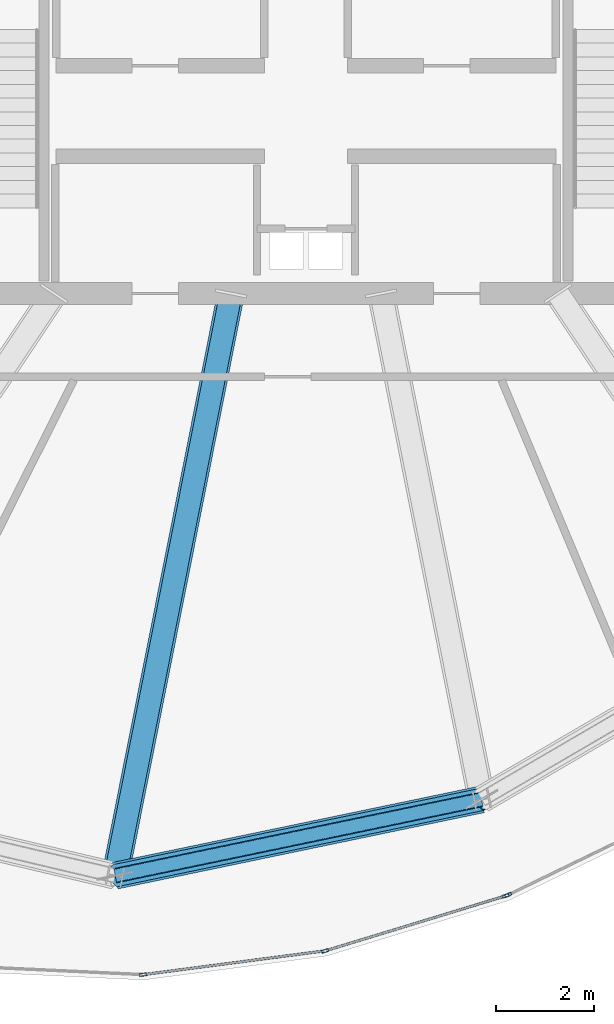
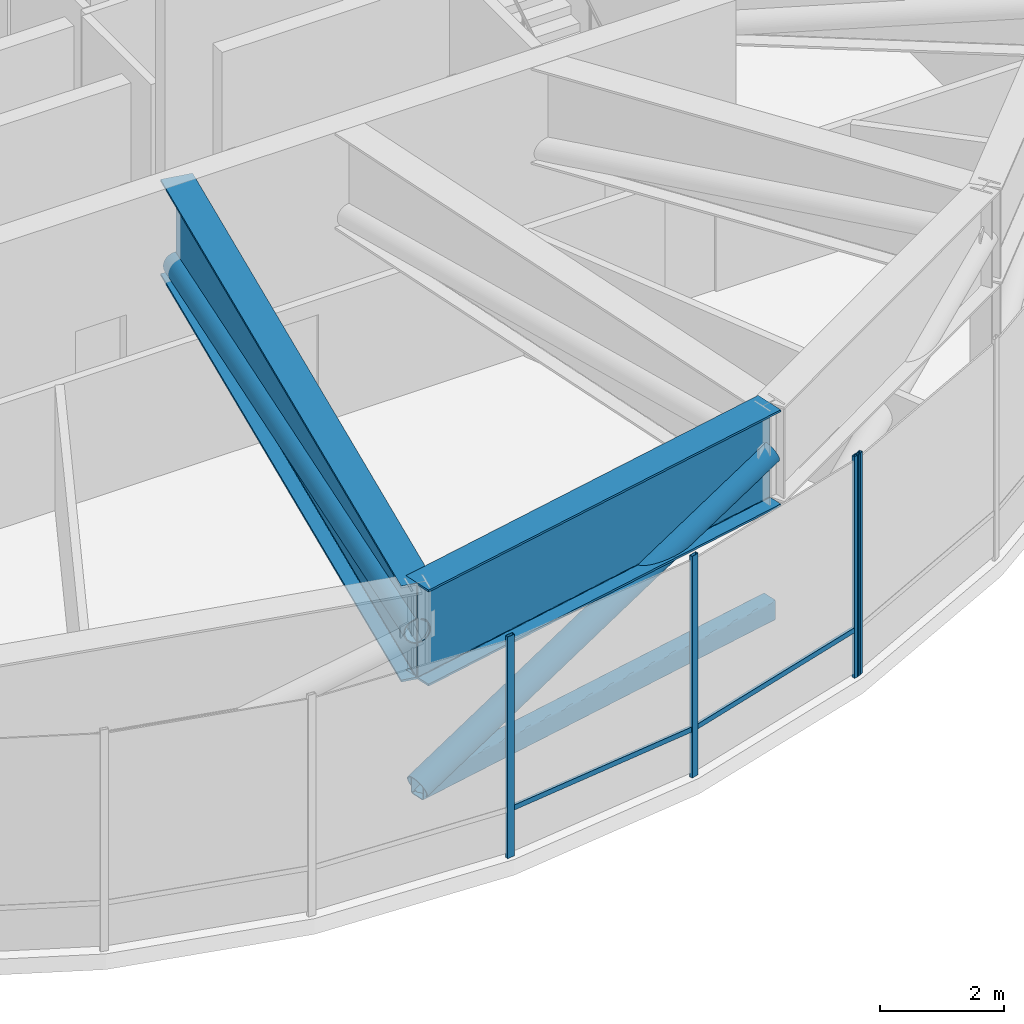
# One storey, part 6 of 26: 9 members, 2 beams, 2 elements without a shape of their own.
"""IFC4 building model written with IfcOpenShell, lengths in metres."""

from ifc_helpers import new_model, si_unit, direction, frame, origin, origin_2d, place, context, subcontext, project, spatial, hollow_rectangle, hollow_circle, i_section, extrude, source, transform, mapped, material, layer, layer_set, material_profile, profile_set, type_object, element, aggregate, save


model = new_model("IFC4")

# Units and contexts
model_context = context("Model", 3, precision=1e-05, world=origin(), true_north=direction((0.0, 1.0)))
body_context = subcontext(model_context, "Body", "Model", "MODEL_VIEW")
ifc_project = project(units=[si_unit("LENGTHUNIT", "METRE"), si_unit("AREAUNIT", "SQUARE_METRE"), si_unit("VOLUMEUNIT", "CUBIC_METRE"), si_unit("PLANEANGLEUNIT", "RADIAN"), si_unit("MASSUNIT", "GRAM", prefix="KILO"), si_unit("THERMODYNAMICTEMPERATUREUNIT", "KELVIN")], contexts=[model_context])

# Site, building, storey
site_placement = place(None, origin())
site = spatial("IfcSite", under=ifc_project, at=site_placement, CompositionType="ELEMENT")
building_placement = place(site_placement, origin())
building = spatial("IfcBuilding", under=site, at=building_placement, Name="Kethvar Cultural Tower", CompositionType="ELEMENT")
storey_placement = place(building_placement, frame((0.0, 0.0, 223.60009765625)))
storey = spatial("IfcBuildingStorey", under=building, at=storey_placement, Name="L58", CompositionType="ELEMENT", Elevation=223.60009765625)

# Beam
ifc_material_1 = material(Name="Steel S460M", Category="steel")
ifc_material_profile_1 = material_profile(ifc_material_1, i_section(OverallWidth=0.550048828125, OverallDepth=1.89990234375, WebThickness=0.02490234375, FlangeThickness=0.0400390625, FilletRadius=0.02001953125, at=origin_2d()), Name="Steel S460M — PG1900x550x40x25")
ifc_profile_set_1 = profile_set([ifc_material_profile_1], Name="Steel S460M — PG1900x550x40x25")
beam_type = type_object("IfcBeamType", Name="BM-TR1900", PredefinedType="BEAM", material=ifc_profile_set_1)
shared_shape_1 = source(origin(), body_context, "Body", "SweptSolid", [
    extrude(i_section(OverallWidth=0.550048828125, OverallDepth=1.89990234375, WebThickness=0.02490234375, FlangeThickness=0.0400390625, FilletRadius=0.02001953125, at=origin_2d()), origin(), (0.0, 0.0, 1.0), 12.1220703125),
])
beam_1_placement = place(storey_placement, frame((45.268310546875, 20.10009765625, 3.427978515625), z_axis=(-0.195078030057, -0.980787725346, 0.0), x_axis=(0.980787725346, -0.195078030057, 0.0)))
element("IfcBeam", 1, at=beam_1_placement, inside=storey, type_object=beam_type, Name="L58 Outrigger Transfer Girder OG-12", PredefinedType="BEAM", context=body_context, shape_type="MappedRepresentation", body=[
    mapped(shared_shape_1, transform((0.0, 0.0, 0.0), scale=1.0)),
])

# Member
ifc_material_2 = material(Name="Steel S355J2", Category="steel")
ifc_material_profile_2 = material_profile(ifc_material_2, hollow_circle(Radius=0.228515625, WallThickness=0.01611328125, at=origin_2d()), Name="Steel S355J2 — CHS457x16")
ifc_profile_set_2 = profile_set([ifc_material_profile_2], Name="Steel S355J2 — CHS457x16")
member_type_1 = type_object("IfcMemberType", Name="MB-OUT-457", PredefinedType="BRACE", material=ifc_profile_set_2)
shared_shape_2 = source(origin(), body_context, "Body", "SweptSolid", [
    extrude(hollow_circle(Radius=0.228515625, WallThickness=0.01611328125, at=origin_2d()), origin(), (0.0, 0.0, 1.0), 12.14697265625),
])
member_1_placement = place(storey_placement, frame((45.268310546875, 20.10009765625, 2.64990234375), z_axis=(-0.194677411687, -0.978773548866, 0.064055018691), x_axis=(0.980787725346, -0.195078030057, 0.0)))
element("IfcMember", 2, at=member_1_placement, inside=storey, type_object=member_type_1, Name="L58 Outrigger Truss Diagonal OB-12", PredefinedType="BRACE", context=body_context, shape_type="MappedRepresentation", body=[
    mapped(shared_shape_2, transform((0.0, 0.0, 0.0), scale=1.0)),
])

# Beam
shared_shape_3 = source(origin(), body_context, "Body", "SweptSolid", [
    extrude(i_section(OverallWidth=0.550048828125, OverallDepth=1.89990234375, WebThickness=0.02490234375, FlangeThickness=0.0400390625, FilletRadius=0.02001953125, at=origin_2d()), origin(), (0.0, 0.0, 1.0), 7.6435546875),
])
beam_2_placement = place(storey_placement, frame((42.903564453125, 8.2109375, 3.427978515625), z_axis=(0.979016278161, 0.203782057834, 0.0), x_axis=(-0.203782057834, 0.979016278161, 0.0)))
element("IfcBeam", 3, at=beam_2_placement, inside=storey, type_object=beam_type, Name="L58 Ring Belt Girder BG-12", PredefinedType="BEAM", context=body_context, shape_type="MappedRepresentation", body=[
    mapped(shared_shape_3, transform((0.0, 0.0, 0.0), scale=1.0)),
])

# Members
ifc_material_profile_3 = material_profile(ifc_material_1, hollow_rectangle(XDim=0.300048828125, YDim=0.39990234375, WallThickness=0.01611328125, InnerFilletRadius=0.01611328125, OuterFilletRadius=0.031982421875, at=origin_2d()), Name="Steel S460M — RHS400x300x16")
ifc_profile_set_3 = profile_set([ifc_material_profile_3], Name="Steel S460M — RHS400x300x16")
member_type_2 = type_object("IfcMemberType", Name="MB-CHD-400", PredefinedType="CHORD", material=ifc_profile_set_3)
shared_shape_4 = source(origin(), body_context, "Body", "SweptSolid", [
    extrude(hollow_rectangle(XDim=0.300048828125, YDim=0.39990234375, WallThickness=0.01611328125, InnerFilletRadius=0.01611328125, OuterFilletRadius=0.031982421875, at=origin_2d()), origin(), (0.0, 0.0, 1.0), 7.6435546875),
])
member_2_placement = place(storey_placement, frame((42.903564453125, 8.2109375, 0.349853515625), z_axis=(0.979016278161, 0.203782057834, 0.0), x_axis=(-0.203782057834, 0.979016278161, 0.0)))
element("IfcMember", 4, at=member_2_placement, inside=storey, type_object=member_type_2, Name="L58 Ring Belt Bottom Chord BC-12", PredefinedType="CHORD", context=body_context, shape_type="MappedRepresentation", body=[
    mapped(shared_shape_4, transform((0.0, 0.0, 0.0), scale=1.0)),
])
shared_shape_5 = source(origin(), body_context, "Body", "SweptSolid", [
    extrude(hollow_circle(Radius=0.228515625, WallThickness=0.01611328125, at=origin_2d()), origin(), (0.0, 0.0, 1.0), 8.239990234375),
])
member_3_placement = place(storey_placement, frame((42.903564453125, 8.2109375, 0.349853515625), z_axis=(0.908142951599, 0.189029787974, 0.37355604495), x_axis=(-0.203782057834, 0.979016278161, 0.0)))
element("IfcMember", 5, at=member_3_placement, inside=storey, type_object=member_type_1, Name="L58 Ring Belt Diagonal BD-12", PredefinedType="BRACE", context=body_context, shape_type="MappedRepresentation", body=[
    mapped(shared_shape_5, transform((0.0, 0.0, 0.0), scale=1.0)),
])

# Curtain wall, members
ifc_material_3 = material(Name="Aluminium 6063-T6", Category="aluminium")
ifc_layer = layer(ifc_material_3, 0.179931640625, Name="Aluminium 6063-T6", Category="aluminium")
ifc_layer_set = layer_set([ifc_layer], Name="Aluminium 6063-T6 (180 mm)")
curtain_wall_type = type_object("IfcCurtainWallType", Name="CW-SYS-04-Z34", PredefinedType="NOTDEFINED", material=ifc_layer_set)
curtain_wall_1_placement = place(storey_placement, origin())
curtain_wall_1 = element("IfcCurtainWall", 6, at=curtain_wall_1_placement, inside=storey, type_object=curtain_wall_type, Name="L58 Curtain Wall Run 04", PredefinedType="NOTDEFINED")
ifc_material_profile_4 = material_profile(ifc_material_3, hollow_rectangle(XDim=0.06005859375, YDim=0.139892578125, WallThickness=0.0048828125, at=origin_2d()), Name="Aluminium 6063-T6 — RHS140x60x5")
ifc_profile_set_4 = profile_set([ifc_material_profile_4], Name="Aluminium 6063-T6 — RHS140x60x5")
member_type_3 = type_object("IfcMemberType", Name="CW-SYS-04-Z34-MUL", PredefinedType="MULLION", material=ifc_profile_set_4)
shared_shape_6 = source(origin(), body_context, "Body", "SweptSolid", [
    extrude(hollow_rectangle(XDim=0.06005859375, YDim=0.139892578125, WallThickness=0.0048828125, at=origin_2d()), origin(), (0.0, 0.0, 1.0), 4.3798828125),
])
member_4_placement = place(storey_placement, frame((43.47119140625, 6.190185546875, 0.0), z_axis=(0.0, 0.0, 1.0), x_axis=(-0.129764778811, 0.991544805937, 0.0)))
member_4 = element("IfcMember", 7, at=member_4_placement, type_object=member_type_3, Name="CW-L58-R04 Mullion 5", PredefinedType="MULLION", context=body_context, shape_type="MappedRepresentation", body=[
    mapped(shared_shape_6, transform((0.0, 0.0, 0.0), scale=1.0)),
])
member_5_placement = place(storey_placement, frame((47.1875, 6.675048828125, 0.0), z_axis=(0.0, 0.0, 1.0), x_axis=(-0.291436887891, 0.956590058686, 0.0)))
member_5 = element("IfcMember", 8, at=member_5_placement, type_object=member_type_3, Name="CW-L58-R04 Mullion 6", PredefinedType="MULLION", context=body_context, shape_type="MappedRepresentation", body=[
    mapped(shared_shape_6, transform((0.0, 0.0, 0.0), scale=1.0)),
])
member_6_placement = place(storey_placement, frame((50.871826171875, 7.797607421875, 0.0), z_axis=(0.0, 0.0, 1.0), x_axis=(-0.291436887891, 0.956590058686, 0.0)))
member_6 = element("IfcMember", 9, at=member_6_placement, type_object=member_type_3, Name="CW-L58-R04 Mullion 7", PredefinedType="MULLION", context=body_context, shape_type="MappedRepresentation", body=[
    mapped(shared_shape_6, transform((0.0, 0.0, 0.0), scale=1.0)),
])

# Curtain wall, member
curtain_wall_2_placement = place(storey_placement, origin())
curtain_wall_2 = element("IfcCurtainWall", 10, at=curtain_wall_2_placement, inside=storey, type_object=curtain_wall_type, Name="L58 Curtain Wall Run 05", PredefinedType="NOTDEFINED")
member_7_placement = place(storey_placement, frame((50.92822265625, 7.819580078125, 0.0), z_axis=(0.0, 0.0, 1.0), x_axis=(-0.436456350785, 0.899725432484, 0.0)))
member_7 = element("IfcMember", 11, at=member_7_placement, type_object=member_type_3, Name="CW-L58-R05 Mullion 1", PredefinedType="MULLION", context=body_context, shape_type="MappedRepresentation", body=[
    mapped(shared_shape_6, transform((0.0, 0.0, 0.0), scale=1.0)),
])
aggregate(curtain_wall_2, [member_7])

# Member
ifc_material_profile_5 = material_profile(ifc_material_3, hollow_rectangle(XDim=0.050048828125, YDim=0.10009765625, WallThickness=0.00390625, at=origin_2d()), Name="Aluminium 6063-T6 — RHS100x50x4")
ifc_profile_set_5 = profile_set([ifc_material_profile_5], Name="Aluminium 6063-T6 — RHS100x50x4")
member_type_4 = type_object("IfcMemberType", Name="CW-SYS-04-Z34-TRN", PredefinedType="USERDEFINED", material=ifc_profile_set_5)
shared_shape_7 = source(origin(), body_context, "Body", "SweptSolid", [
    extrude(hollow_rectangle(XDim=0.050048828125, YDim=0.10009765625, WallThickness=0.00390625, at=origin_2d()), origin(), (0.0, 0.0, 1.0), 3.679443359375),
])
member_8_placement = place(storey_placement, frame((43.51416015625, 6.19580078125, 0.949951171875), z_axis=(0.991542594876, 0.129781672616, 0.0), x_axis=(-0.129781672616, 0.991542594876, 0.0)))
member_8 = element("IfcMember", 12, at=member_8_placement, type_object=member_type_4, Name="CW-L58-R04 Transom 5", ObjectType="TRANSOM", PredefinedType="USERDEFINED", context=body_context, shape_type="MappedRepresentation", body=[
    mapped(shared_shape_7, transform((0.0, 0.0, 0.0), scale=1.0)),
])

shared_shape_8 = source(origin(), body_context, "Body", "SweptSolid", [
    extrude(hollow_rectangle(XDim=0.050048828125, YDim=0.10009765625, WallThickness=0.00390625, at=origin_2d()), origin(), (0.0, 0.0, 1.0), 3.803955078125),
])
member_9_placement = place(storey_placement, frame((47.22900390625, 6.6875, 0.949951171875), z_axis=(0.956589897035, 0.29143741848, 0.0), x_axis=(-0.29143741848, 0.956589897035, 0.0)))
member_9 = element("IfcMember", 13, at=member_9_placement, type_object=member_type_4, Name="CW-L58-R04 Transom 6", ObjectType="TRANSOM", PredefinedType="USERDEFINED", context=body_context, shape_type="MappedRepresentation", body=[
    mapped(shared_shape_8, transform((0.0, 0.0, 0.0), scale=1.0)),
])

aggregate(curtain_wall_1, [member_4, member_5, member_6, member_8, member_9])

save(model, "model.ifc")
